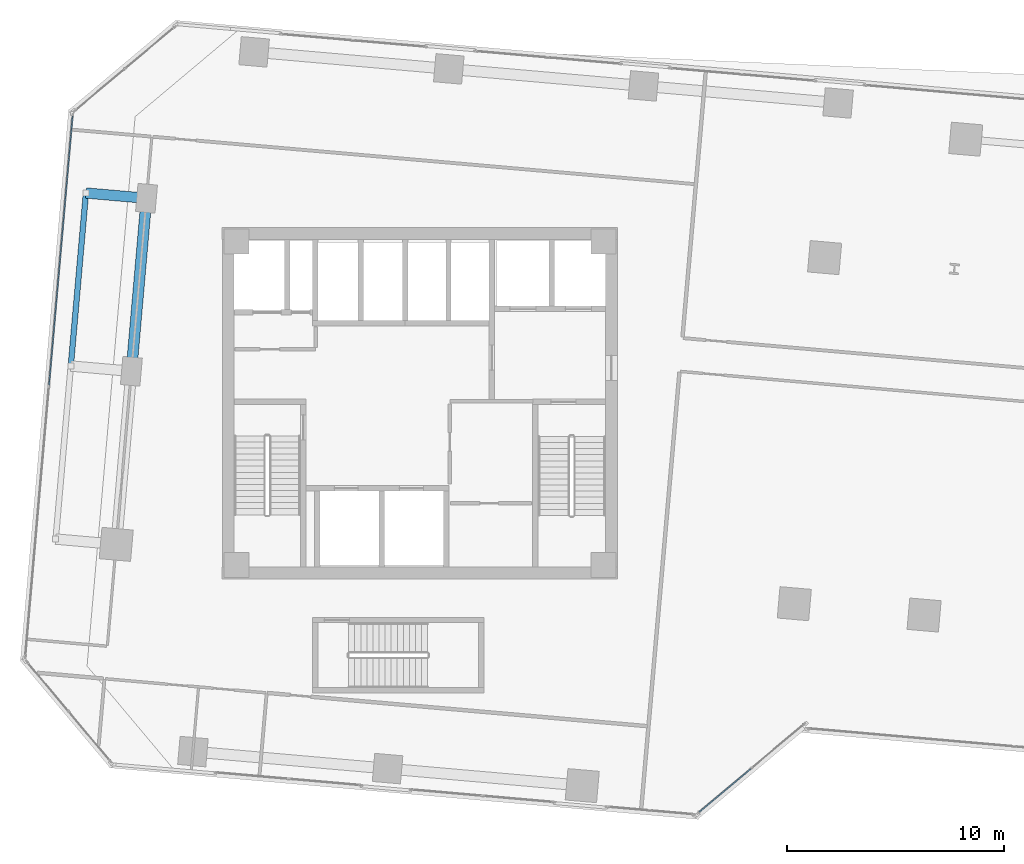
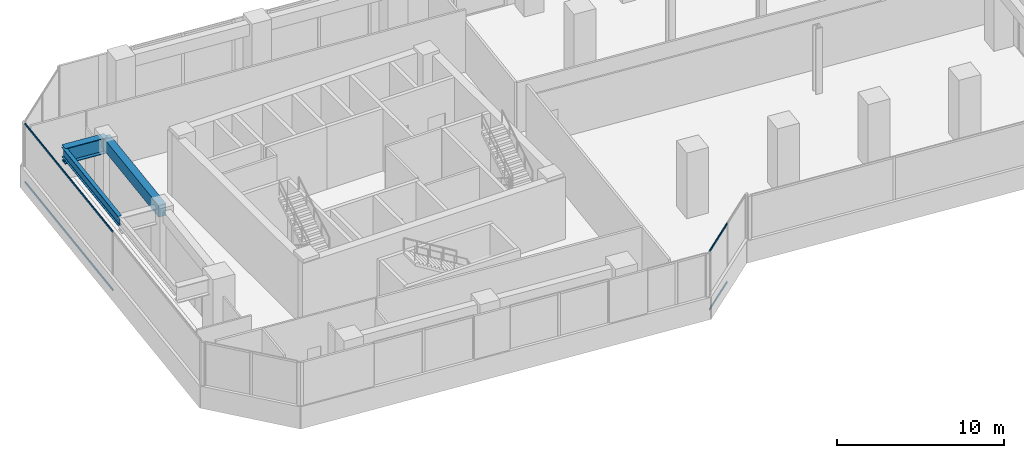
# One storey, part 7 of 24: 4 members, 3 beams, 2 elements without a shape of their own.
"""IFC4 building model written with IfcOpenShell, lengths in metres."""

from ifc_helpers import new_model, si_unit, direction, frame, origin, origin_2d, place, context, subcontext, project, spatial, rectangle, hollow_rectangle, i_section, extrude, source, transform, mapped, material, material_profile, profile_set, type_object, element, aggregate, save


model = new_model("IFC4")

# Units and contexts
model_context = context("Model", 3, precision=1e-05, world=origin(), true_north=direction((0.0, 1.0)))
body_context = subcontext(model_context, "Body", "Model", "MODEL_VIEW")
ifc_project = project(units=[si_unit("LENGTHUNIT", "METRE"), si_unit("AREAUNIT", "SQUARE_METRE"), si_unit("VOLUMEUNIT", "CUBIC_METRE"), si_unit("PLANEANGLEUNIT", "RADIAN"), si_unit("MASSUNIT", "GRAM", prefix="KILO")], contexts=[model_context])

# Site, building, storey
site_placement = place(None, origin())
site = spatial("IfcSite", under=ifc_project, at=site_placement, CompositionType="ELEMENT")
building_placement = place(site_placement, origin())
building = spatial("IfcBuilding", under=site, at=building_placement, Name="Torre Montelarca", CompositionType="ELEMENT")
storey_placement = place(building_placement, frame((0.0, 0.0, 47.199951171875)))
storey = spatial("IfcBuildingStorey", under=building, at=storey_placement, Name="L10", CompositionType="ELEMENT", Elevation=47.199951171875)

# Beams
ifc_material_1 = material(Name="Concrete C55/67", Category="concrete")
ifc_material_profile_1 = material_profile(ifc_material_1, rectangle(XDim=0.5, YDim=0.85009765625, at=origin_2d()), Name="RCB500X850", Category="concrete")
ifc_profile_set_1 = profile_set([ifc_material_profile_1], Name="Concrete C55/67")
beam_type_1 = type_object("IfcBeamType", Name="BM-SP-RC850-EXT", PredefinedType="SPANDREL", material=ifc_profile_set_1)
shared_shape_1 = source(origin(), body_context, "Body", "SweptSolid", [
    extrude(rectangle(XDim=0.5, YDim=0.85009765625, at=origin_2d()), origin(), (0.0, 0.0, 1.0), 8.0),
])
beam_1_placement = place(storey_placement, frame((4.714111328125, 33.468505859375, 4.135009765625), z_axis=(0.087159000208, 0.996194413095, 0.0), x_axis=(-0.996194413095, 0.087159000208, 0.0)))
element("IfcBeam", 1, at=beam_1_placement, inside=storey, type_object=beam_type_1, Name="L10 Grid Girder Y 32.0-40.0 at X=4.7", PredefinedType="SPANDREL", context=body_context, shape_type="MappedRepresentation", body=[
    mapped(shared_shape_1, transform((0.0, 0.0, 0.0), scale=1.0)),
])
ifc_material_2 = material(Name="Steel ASTM A992 Grade 50", Category="steel")
ifc_material_profile_2 = material_profile(ifc_material_2, i_section(OverallWidth=0.256103515625, OverallDepth=0.693115234375, WebThickness=0.014404296875, FlangeThickness=0.023681640625, FilletRadius=0.01806640625, at=origin_2d()), Name="W690X170", Category="steel")
ifc_profile_set_2 = profile_set([ifc_material_profile_2], Name="Steel ASTM A992 Grade 50")
beam_type_2 = type_object("IfcBeamType", Name="BM-G-W690-EXT", PredefinedType="BEAM", material=ifc_profile_set_2)
shared_shape_2 = source(origin(), body_context, "Body", "SweptSolid", [
    extrude(i_section(OverallWidth=0.256103515625, OverallDepth=0.693115234375, WebThickness=0.014404296875, FlangeThickness=0.023681640625, FilletRadius=0.01806640625, at=origin_2d()), origin(), (0.0, 0.0, 1.0), 8.0),
])
beam_2_placement = place(storey_placement, frame((1.9248046875, 33.712646484375, 4.213134765625), z_axis=(0.087159000208, 0.996194413095, 0.0), x_axis=(-0.996194413095, 0.087159000208, 0.0)))
element("IfcBeam", 2, at=beam_2_placement, inside=storey, type_object=beam_type_2, Name="L10 Sliding Tray Edge Girder West 32.0-40.0m (FLR)", PredefinedType="BEAM", context=body_context, shape_type="MappedRepresentation", body=[
    mapped(shared_shape_2, transform((0.0, 0.0, 0.0), scale=1.0)),
])
ifc_material_3 = material(Name="Steel ASTM A572 Grade 50", Category="steel")
ifc_material_profile_3 = material_profile(ifc_material_3, i_section(OverallWidth=0.47998046875, OverallDepth=1.14990234375, WebThickness=0.02197265625, FlangeThickness=0.044921875, at=origin_2d()), Name="PG1150X480X22X45", Category="steel")
ifc_profile_set_3 = profile_set([ifc_material_profile_3], Name="Steel ASTM A572 Grade 50")
beam_type_3 = type_object("IfcBeamType", Name="BM-CG-PG1400-EXT", PredefinedType="USERDEFINED", material=ifc_profile_set_3)
shared_shape_3 = source(origin(), body_context, "Body", "SweptSolid", [
    extrude(i_section(OverallWidth=0.47998046875, OverallDepth=1.14990234375, WebThickness=0.02197265625, FlangeThickness=0.044921875, at=origin_2d()), origin(), (0.0, 0.0, 1.0), 2.800048828125),
])
beam_3_placement = place(storey_placement, frame((5.411376953125, 41.43798828125, 3.985107421875), z_axis=(-0.996191351034, 0.087193991338, 0.0), x_axis=(-0.087193991338, -0.996191351034, 0.0)))
element("IfcBeam", 3, at=beam_3_placement, inside=storey, type_object=beam_type_3, Name="L10 Sliding Tray Cantilever Girder West Y=40.0m (FLR)", ObjectType="CANTILEVER GIRDER", PredefinedType="USERDEFINED", context=body_context, shape_type="MappedRepresentation", body=[
    mapped(shared_shape_3, transform((0.0, 0.0, 0.0), scale=1.0)),
])

# Curtain wall, members
ifc_material_4 = material(Name="Insulated low-E laminated glass", Category="glass")
curtain_wall_type = type_object("IfcCurtainWallType", Name="CW-SYS-Z1", PredefinedType="USERDEFINED", material=ifc_material_4)
curtain_wall_1_placement = place(storey_placement, origin())
curtain_wall_1 = element("IfcCurtainWall", 4, at=curtain_wall_1_placement, inside=storey, type_object=curtain_wall_type, Name="L10 Curtain Wall Run CW-T3-L10-E02-B1", ObjectType="UNITISED GLAZING", PredefinedType="USERDEFINED")
ifc_material_5 = material(Name="Anodised aluminium AA 6063-T6", Category="aluminium")
ifc_material_profile_4 = material_profile(ifc_material_5, hollow_rectangle(XDim=0.06494140625, YDim=0.139892578125, WallThickness=0.00390625, InnerFilletRadius=0.00390625, OuterFilletRadius=0.008056640625, at=origin_2d()), Name="ALU65X140X4", Category="aluminium")
ifc_profile_set_4 = profile_set([ifc_material_profile_4], Name="Anodised aluminium AA 6063-T6")
member_type = type_object("IfcMemberType", Name="CWT-ALU140", PredefinedType="USERDEFINED", material=ifc_profile_set_4)
shared_shape_4 = source(origin(), body_context, "Body", "SweptSolid", [
    extrude(hollow_rectangle(XDim=0.06494140625, YDim=0.139892578125, WallThickness=0.00390625, InnerFilletRadius=0.00390625, OuterFilletRadius=0.008056640625, at=origin_2d()), origin(), (0.0, 0.0, 1.0), 3.102783203125),
])
member_1_placement = place(storey_placement, frame((30.865478515625, 13.167236328125, 0.032470703125), z_axis=(0.766062807851, 0.642765722816, 0.0), x_axis=(-0.642765722816, 0.766062807851, 0.0)))
member_1 = element("IfcMember", 5, at=member_1_placement, type_object=member_type, Name="CW transom 1.1", ObjectType="TRANSOM", PredefinedType="USERDEFINED", context=body_context, shape_type="MappedRepresentation", body=[
    mapped(shared_shape_4, transform((0.0, 0.0, 0.0), scale=1.0)),
])
member_2_placement = place(storey_placement, frame((30.865478515625, 13.167236328125, 4.28759765625), z_axis=(0.766062807851, 0.642765722816, 0.0), x_axis=(-0.642765722816, 0.766062807851, 0.0)))
member_2 = element("IfcMember", 6, at=member_2_placement, type_object=member_type, Name="CW transom 1.2", ObjectType="TRANSOM", PredefinedType="USERDEFINED", context=body_context, shape_type="MappedRepresentation", body=[
    mapped(shared_shape_4, transform((0.0, 0.0, 0.0), scale=1.0)),
])
aggregate(curtain_wall_1, [member_1, member_2])

curtain_wall_2_placement = place(storey_placement, origin())
curtain_wall_2 = element("IfcCurtainWall", 7, at=curtain_wall_2_placement, inside=storey, type_object=curtain_wall_type, Name="L10 Curtain Wall Run CW-T3-L10-E10-B1", ObjectType="UNITISED GLAZING", PredefinedType="USERDEFINED")
shared_shape_5 = source(origin(), body_context, "Body", "SweptSolid", [
    extrude(hollow_rectangle(XDim=0.06494140625, YDim=0.139892578125, WallThickness=0.00390625, InnerFilletRadius=0.00390625, OuterFilletRadius=0.008056640625, at=origin_2d()), origin(), (0.0, 0.0, 1.0), 12.436767578125),
])
member_3_placement = place(storey_placement, frame((2.0078125, 45.21826171875, 0.032470703125), z_axis=(-0.087159888253, -0.996194335398, 0.0), x_axis=(0.996194335398, -0.087159888253, 0.0)))
member_3 = element("IfcMember", 8, at=member_3_placement, type_object=member_type, Name="CW transom 1.1", ObjectType="TRANSOM", PredefinedType="USERDEFINED", context=body_context, shape_type="MappedRepresentation", body=[
    mapped(shared_shape_5, transform((0.0, 0.0, 0.0), scale=1.0)),
])
member_4_placement = place(storey_placement, frame((2.0078125, 45.21826171875, 4.28759765625), z_axis=(-0.087159888253, -0.996194335398, 0.0), x_axis=(0.996194335398, -0.087159888253, 0.0)))
member_4 = element("IfcMember", 9, at=member_4_placement, type_object=member_type, Name="CW transom 1.2", ObjectType="TRANSOM", PredefinedType="USERDEFINED", context=body_context, shape_type="MappedRepresentation", body=[
    mapped(shared_shape_5, transform((0.0, 0.0, 0.0), scale=1.0)),
])
aggregate(curtain_wall_2, [member_3, member_4])

save(model, "model.ifc")
